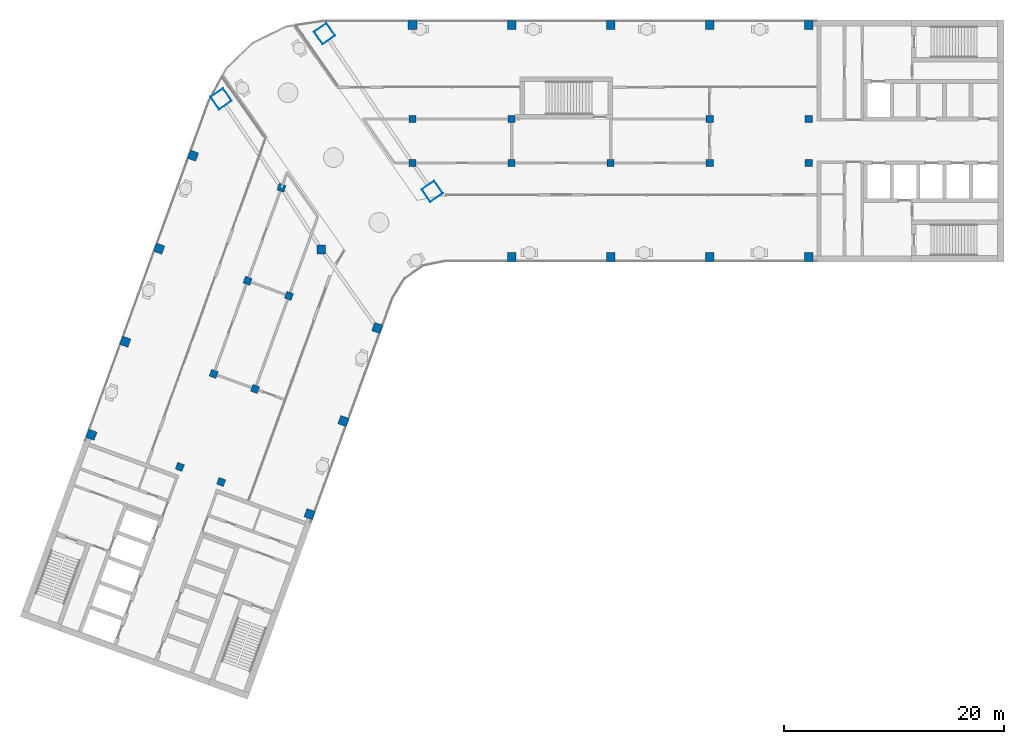
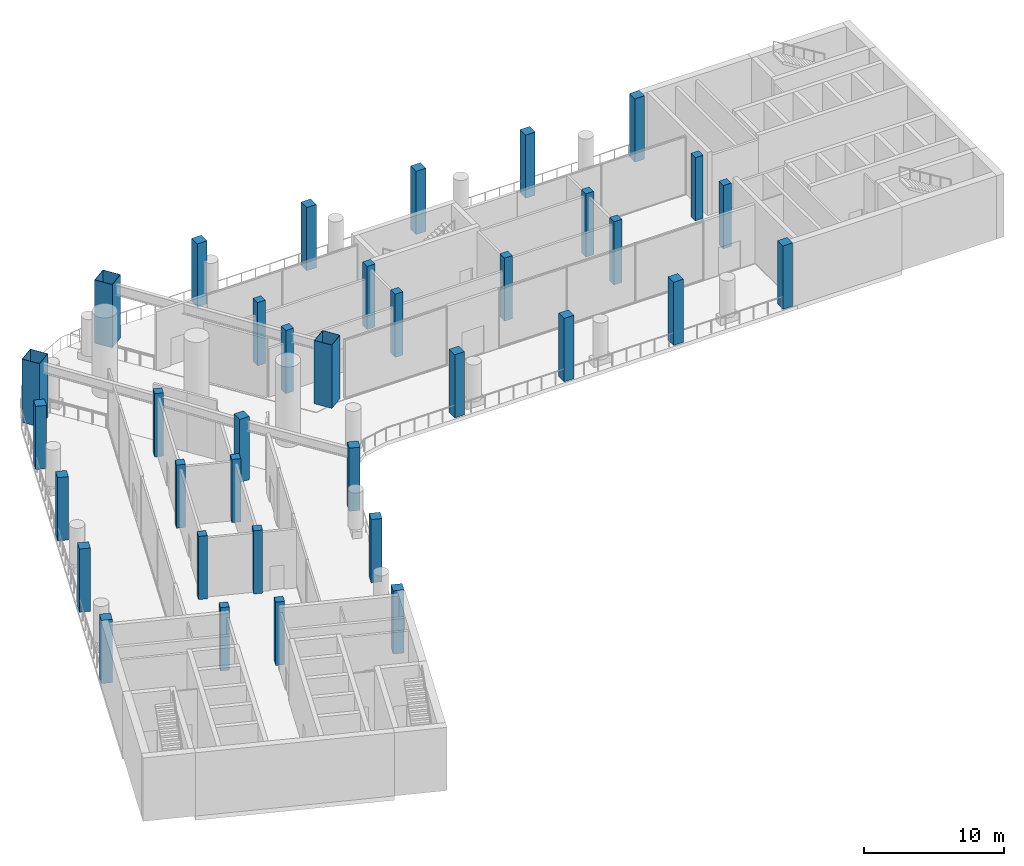
# One storey, part 1 of 17: 36 columns.
"""IFC4 building model written with IfcOpenShell, lengths in metres."""

from ifc_helpers import new_model, si_unit, direction, frame, origin, origin_2d, place, context, subcontext, project, spatial, rectangle, hollow_rectangle, extrude, material, material_profile, profile_set, type_object, element, save


model = new_model("IFC4")

# Units and contexts
model_context = context("Model", 3, precision=1e-05, world=origin(), true_north=direction((0.0, 1.0)))
body_context = subcontext(model_context, "Body", "Model", "MODEL_VIEW")
ifc_project = project(units=[si_unit("LENGTHUNIT", "METRE"), si_unit("AREAUNIT", "SQUARE_METRE"), si_unit("VOLUMEUNIT", "CUBIC_METRE"), si_unit("PLANEANGLEUNIT", "RADIAN"), si_unit("MASSUNIT", "GRAM", prefix="KILO")], contexts=[model_context])

# Site, building, storey
site_placement = place(None, origin())
site = spatial("IfcSite", under=ifc_project, at=site_placement, CompositionType="ELEMENT")
building_placement = place(site_placement, origin())
building = spatial("IfcBuilding", under=site, at=building_placement, Name="Skarvind Civic Tower", CompositionType="ELEMENT")
storey_placement = place(building_placement, frame((0.0, 0.0, 182.5)))
storey = spatial("IfcBuildingStorey", under=building, at=storey_placement, Name="L43", CompositionType="ELEMENT", Elevation=182.5)

# Columns
ifc_material_1 = material(Name="Concrete C60", Category="concrete")
ifc_material_profile_1 = material_profile(ifc_material_1, rectangle(XDim=0.64990234375, YDim=0.64990234375, at=origin_2d()), Name="RC-650x650")
ifc_profile_set_1 = profile_set([ifc_material_profile_1], Name="Concrete C60")
column_type_1 = type_object("IfcColumnType", Name="Column RC-650x650 C60", PredefinedType="COLUMN", material=ifc_profile_set_1)
for number, where, z_axis, x_axis, name in (
    (1, (54.25, 130.0, 0.0), (0.0, 0.0, 1.0), (1.0, 0.0, 0.0), "Column wing 1 north inner 02 L43"),
    (2, (63.25, 130.0, 0.0), (0.0, 0.0, 1.0), (1.0, 0.0, 0.0), "Column wing 1 north inner 03 L43"),
    (3, (81.25, 130.0, 0.0), (0.0, 0.0, 1.0), (1.0, 0.0, 0.0), "Column wing 1 north inner 05 L43"),
    (4, (90.25, 130.0, 0.0), (0.0, 0.0, 1.0), (1.0, 0.0, 0.0), "Column wing 1 north inner 06 L43"),
    (5, (54.25, 126.0, 0.0), (0.0, 0.0, 1.0), (1.0, 0.0, 0.0), "Column wing 1 south inner 02 L43"),
    (6, (63.25, 126.0, 0.0), (0.0, 0.0, 1.0), (1.0, 0.0, 0.0), "Column wing 1 south inner 03 L43"),
    (7, (72.25, 126.0, 0.0), (0.0, 0.0, 1.0), (1.0, 0.0, 0.0), "Column wing 1 south inner 04 L43"),
    (8, (81.25, 126.0, 0.0), (0.0, 0.0, 1.0), (1.0, 0.0, 0.0), "Column wing 1 south inner 05 L43"),
    (9, (90.25, 126.0, 0.0), (0.0, 0.0, 1.0), (1.0, 0.0, 0.0), "Column wing 1 south inner 06 L43"),
    (10, (43.005615234375, 113.92529296875, 0.0), (0.0, 0.0, 1.0), (-0.342020143326, -0.939692620786, 0.0), "Column wing 2 left inner 02 L43"),
    (11, (39.927490234375, 105.468017578125, 0.0), (0.0, 0.0, 1.0), (-0.342020143326, -0.939692620786, 0.0), "Column wing 2 left inner 03 L43"),
    (12, (36.84912109375, 97.010986328125, 0.0), (0.0, 0.0, 1.0), (-0.342020143326, -0.939692620786, 0.0), "Column wing 2 left inner 04 L43"),
    (13, (42.324951171875, 123.750732421875, 0.0), (0.0, 0.0, 1.0), (-0.342020143326, -0.939692620786, 0.0), "Column wing 2 right inner 01 L43"),
    (14, (39.246826171875, 115.29345703125, 0.0), (0.0, 0.0, 1.0), (-0.342020143326, -0.939692620786, 0.0), "Column wing 2 right inner 02 L43"),
    (15, (36.168701171875, 106.836181640625, 0.0), (0.0, 0.0, 1.0), (-0.342020143326, -0.939692620786, 0.0), "Column wing 2 right inner 03 L43"),
    (16, (33.090576171875, 98.37890625, 0.0), (0.0, 0.0, 1.0), (-0.342020143326, -0.939692620786, 0.0), "Column wing 2 right inner 04 L43"),
):
    element("IfcColumn", number, at=place(storey_placement, frame(where, z_axis=z_axis, x_axis=x_axis)), inside=storey, type_object=column_type_1, Name=name, PredefinedType="COLUMN", context=body_context, shape_type="SweptSolid", body=[
        extrude(rectangle(XDim=0.64990234375, YDim=0.64990234375, at=origin_2d()), origin(), (0.0, 0.0, 1.0), 5.5),
    ])
ifc_material_profile_2 = material_profile(ifc_material_1, rectangle(XDim=0.800048828125, YDim=0.800048828125, at=origin_2d()), Name="RC-800x800")
ifc_profile_set_2 = profile_set([ifc_material_profile_2], Name="Concrete C60")
column_type_2 = type_object("IfcColumnType", Name="Column RC-800x800 C60", PredefinedType="COLUMN", material=ifc_profile_set_2)
for number, where, z_axis, x_axis, name in (
    (17, (54.25, 138.550048828125, 0.0), (0.0, 0.0, 1.0), (1.0, 0.0, 0.0), "Column wing 1 north perimeter 02 L43"),
    (18, (63.25, 138.550048828125, 0.0), (0.0, 0.0, 1.0), (1.0, 0.0, 0.0), "Column wing 1 north perimeter 03 L43"),
    (19, (72.25, 138.550048828125, 0.0), (0.0, 0.0, 1.0), (1.0, 0.0, 0.0), "Column wing 1 north perimeter 04 L43"),
    (20, (81.25, 138.550048828125, 0.0), (0.0, 0.0, 1.0), (1.0, 0.0, 0.0), "Column wing 1 north perimeter 05 L43"),
    (21, (90.25, 138.550048828125, 0.0), (0.0, 0.0, 1.0), (1.0, 0.0, 0.0), "Column wing 1 north perimeter 06 L43"),
    (22, (45.95166015625, 118.151611328125, 0.0), (0.0, 0.0, 1.0), (1.0, 0.0, 0.0), "Column wing 1 south perimeter 01 L43"),
    (23, (63.25, 117.449951171875, 0.0), (0.0, 0.0, 1.0), (1.0, 0.0, 0.0), "Column wing 1 south perimeter 03 L43"),
    (24, (72.25, 117.449951171875, 0.0), (0.0, 0.0, 1.0), (1.0, 0.0, 0.0), "Column wing 1 south perimeter 04 L43"),
    (25, (81.25, 117.449951171875, 0.0), (0.0, 0.0, 1.0), (1.0, 0.0, 0.0), "Column wing 1 south perimeter 05 L43"),
    (26, (90.25, 117.449951171875, 0.0), (0.0, 0.0, 1.0), (1.0, 0.0, 0.0), "Column wing 1 south perimeter 06 L43"),
    (27, (51.0400390625, 111.0009765625, 0.0), (0.0, 0.0, 1.0), (-0.342020143326, -0.939692620786, 0.0), "Column wing 2 left perimeter 02 L43"),
    (28, (47.961669921875, 102.5439453125, 0.0), (0.0, 0.0, 1.0), (-0.342020143326, -0.939692620786, 0.0), "Column wing 2 left perimeter 03 L43"),
    (29, (44.883544921875, 94.086669921875, 0.0), (0.0, 0.0, 1.0), (-0.342020143326, -0.939692620786, 0.0), "Column wing 2 left perimeter 04 L43"),
    (30, (34.29052734375, 126.6748046875, 0.0), (0.0, 0.0, 1.0), (-0.342020143326, -0.939692620786, 0.0), "Column wing 2 right perimeter 01 L43"),
    (31, (31.21240234375, 118.2177734375, 0.0), (0.0, 0.0, 1.0), (-0.342020143326, -0.939692620786, 0.0), "Column wing 2 right perimeter 02 L43"),
    (32, (28.13427734375, 109.760498046875, 0.0), (0.0, 0.0, 1.0), (-0.342020143326, -0.939692620786, 0.0), "Column wing 2 right perimeter 03 L43"),
    (33, (25.05615234375, 101.30322265625, 0.0), (0.0, 0.0, 1.0), (-0.342020143326, -0.939692620786, 0.0), "Column wing 2 right perimeter 04 L43"),
):
    element("IfcColumn", number, at=place(storey_placement, frame(where, z_axis=z_axis, x_axis=x_axis)), inside=storey, type_object=column_type_2, Name=name, PredefinedType="COLUMN", context=body_context, shape_type="SweptSolid", body=[
        extrude(rectangle(XDim=0.800048828125, YDim=0.800048828125, at=origin_2d()), origin(), (0.0, 0.0, 1.0), 5.5),
    ])
ifc_material_2 = material(Name="Composite concrete-filled steel tube, Steel SM355 with Concrete C80", Category="concrete")
ifc_material_profile_3 = material_profile(ifc_material_2, hollow_rectangle(XDim=1.39990234375, YDim=1.39990234375, WallThickness=0.031982421875, at=origin_2d()), Name="BOX-1400x1400x32")
ifc_profile_set_3 = profile_set([ifc_material_profile_3], Name="Composite concrete-filled steel tube, Steel SM355 with Concrete C80")
column_type_3 = type_object("IfcColumnType", Name="Mega column BOX-1400x1400x32 filled C80", PredefinedType="COLUMN", material=ifc_profile_set_3)
for number, where, z_axis, x_axis, name in (
    (34, (36.845947265625, 131.837646484375, 0.0), (0.0, 0.0, 1.0), (0.573576436351, -0.819152044289, 0.0), "Mega column 1 L43"),
    (35, (46.2470703125, 137.762451171875, 0.0), (0.0, 0.0, 1.0), (0.573576436351, -0.819152044289, 0.0), "Mega column 2 L43"),
    (36, (56.0361328125, 123.43017578125, 0.0), (0.0, 0.0, 1.0), (0.573576436351, -0.819152044289, 0.0), "Mega column 4 L43"),
):
    element("IfcColumn", number, at=place(storey_placement, frame(where, z_axis=z_axis, x_axis=x_axis)), inside=storey, type_object=column_type_3, Name=name, PredefinedType="COLUMN", context=body_context, shape_type="SweptSolid", body=[
        extrude(hollow_rectangle(XDim=1.39990234375, YDim=1.39990234375, WallThickness=0.031982421875, at=origin_2d()), origin(), (0.0, 0.0, 1.0), 5.5),
    ])

save(model, "model.ifc")
